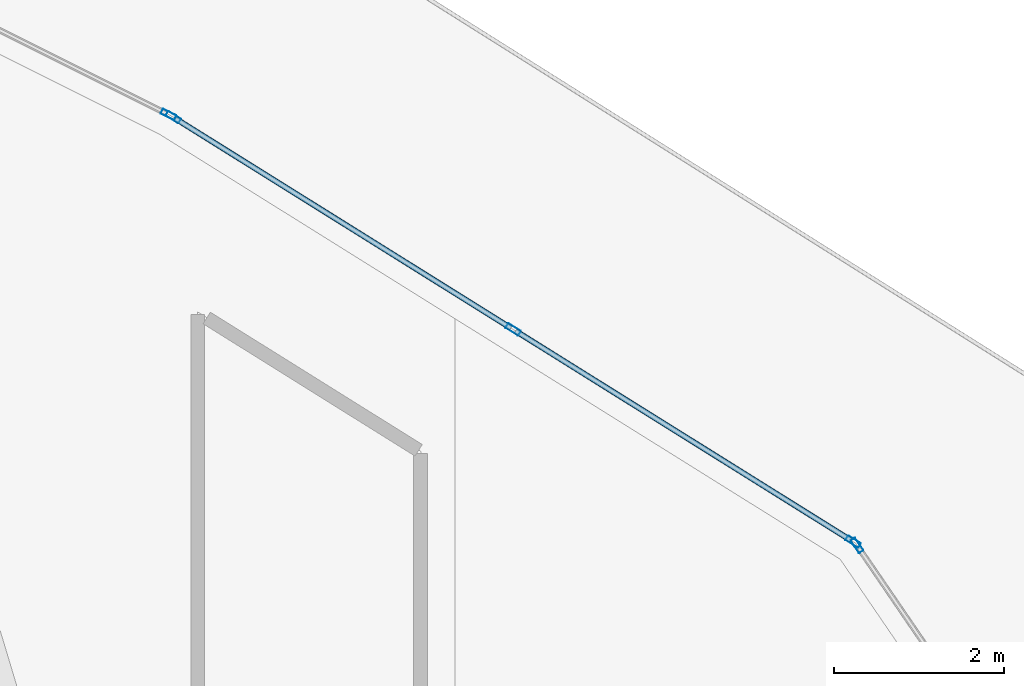
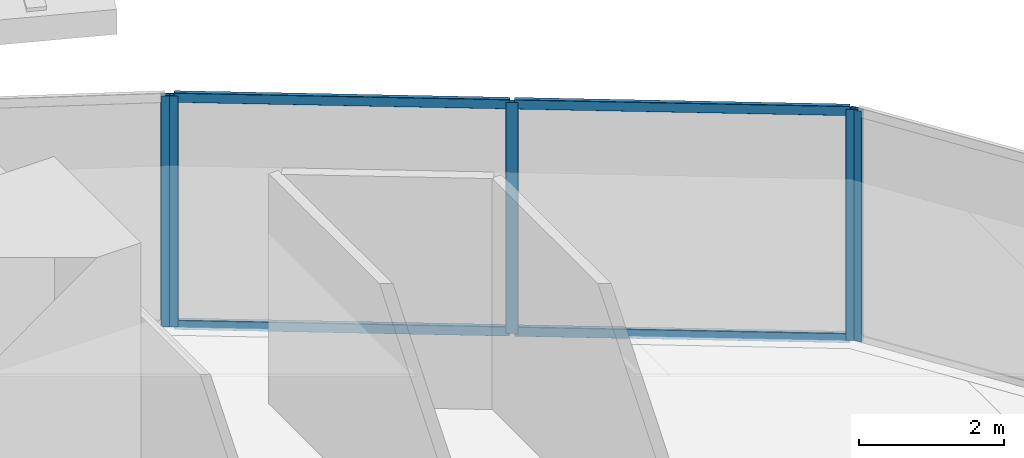
# One storey, part 25 of 45: 9 members, 3 elements without a shape of their own.
"""IFC4 building model written with IfcOpenShell, lengths in metres."""

from ifc_helpers import new_model, si_unit, direction, frame, origin, origin_2d, place, context, subcontext, project, spatial, hollow_rectangle, extrude, material, layer, layer_set, material_profile, profile_set, type_object, element, aggregate, save


model = new_model("IFC4")

# Units and contexts
model_context = context("Model", 3, precision=1e-05, world=origin(), true_north=direction((0.0, 1.0)))
body_context = subcontext(model_context, "Body", "Model", "MODEL_VIEW")
ifc_project = project(units=[si_unit("LENGTHUNIT", "METRE"), si_unit("AREAUNIT", "SQUARE_METRE"), si_unit("VOLUMEUNIT", "CUBIC_METRE"), si_unit("PLANEANGLEUNIT", "RADIAN"), si_unit("MASSUNIT", "GRAM", prefix="KILO")], contexts=[model_context])

# Site, building, storey
site_placement = place(None, origin())
site = spatial("IfcSite", under=ifc_project, at=site_placement, CompositionType="ELEMENT")
building_placement = place(site_placement, origin())
building = spatial("IfcBuilding", under=site, at=building_placement, Name="Qorvath Tower", CompositionType="ELEMENT")
storey_placement = place(building_placement, frame((0.0, 0.0, 95.39990234375)))
storey = spatial("IfcBuildingStorey", under=building, at=storey_placement, Name="L21", CompositionType="ELEMENT", Elevation=95.39990234375)

# Curtain wall, member
ifc_material_1 = material(Name="Anodised aluminium and triple low-E glass", Category="aluminium")
ifc_layer = layer(ifc_material_1, 0.179931640625)
ifc_layer_set = layer_set([ifc_layer], Name="CW-SYS-2")
curtain_wall_type = type_object("IfcCurtainWallType", Name="CW-SYS-2", PredefinedType="NOTDEFINED", material=ifc_layer_set)
curtain_wall_1_placement = place(storey_placement, origin())
curtain_wall_1 = element("IfcCurtainWall", 1, at=curtain_wall_1_placement, inside=storey, type_object=curtain_wall_type, Name="Curtain Wall CW-2 CW-T-L21-13.1", PredefinedType="NOTDEFINED")
ifc_material_2 = material(Name="Anodised aluminium 6063-T6", Category="aluminium")
ifc_material_profile_1 = material_profile(ifc_material_2, hollow_rectangle(XDim=0.06494140625, YDim=0.179931640625, WallThickness=0.00341796875, InnerFilletRadius=0.00341796875, OuterFilletRadius=0.007080078125, at=origin_2d()), Name="CWM 180x65")
ifc_profile_set_1 = profile_set([ifc_material_profile_1], Name="Anodised aluminium 6063-T6")
member_type_1 = type_object("IfcMemberType", Name="CWM-180", PredefinedType="MULLION", material=ifc_profile_set_1)
member_1_placement = place(storey_placement, frame((-2.86376953125, 24.353759765625, 0.0), z_axis=(0.0, 0.0, 1.0), x_axis=(-0.825732659314, -0.564061676895, 0.0)))
member_1 = element("IfcMember", 2, at=member_1_placement, type_object=member_type_1, Name="CW-2 mullion 2", PredefinedType="MULLION", context=body_context, shape_type="SweptSolid", body=[
    extrude(hollow_rectangle(XDim=0.06494140625, YDim=0.179931640625, WallThickness=0.00341796875, InnerFilletRadius=0.00341796875, OuterFilletRadius=0.007080078125, at=origin_2d()), origin(), (0.0, 0.0, 1.0), 3.900146484375),
])
aggregate(curtain_wall_1, [member_1])

# Curtain wall, members
curtain_wall_2_placement = place(storey_placement, origin())
curtain_wall_2 = element("IfcCurtainWall", 3, at=curtain_wall_2_placement, inside=storey, type_object=curtain_wall_type, Name="Curtain Wall CW-2 CW-T-L21-14.1", PredefinedType="NOTDEFINED")
member_2_placement = place(storey_placement, frame((-2.90966796875, 24.397705078125, 0.0), z_axis=(0.0, 0.0, 1.0), x_axis=(-0.529595857203, -0.848250097573, 0.0)))
member_2 = element("IfcMember", 4, at=member_2_placement, type_object=member_type_1, Name="CW-2 mullion 1", PredefinedType="MULLION", context=body_context, shape_type="SweptSolid", body=[
    extrude(hollow_rectangle(XDim=0.06494140625, YDim=0.179931640625, WallThickness=0.00341796875, InnerFilletRadius=0.00341796875, OuterFilletRadius=0.007080078125, at=origin_2d()), origin(), (0.0, 0.0, 1.0), 3.900146484375),
])
member_3_placement = place(storey_placement, frame((-6.90234375, 26.890625, 0.0), z_axis=(0.0, 0.0, 1.0), x_axis=(-0.529595857203, -0.848250097573, 0.0)))
member_3 = element("IfcMember", 5, at=member_3_placement, type_object=member_type_1, Name="CW-2 mullion 2", PredefinedType="MULLION", context=body_context, shape_type="SweptSolid", body=[
    extrude(hollow_rectangle(XDim=0.06494140625, YDim=0.179931640625, WallThickness=0.00341796875, InnerFilletRadius=0.00341796875, OuterFilletRadius=0.007080078125, at=origin_2d()), origin(), (0.0, 0.0, 1.0), 3.900146484375),
])
member_4_placement = place(storey_placement, frame((-10.89501953125, 29.38330078125, 0.0), z_axis=(0.0, 0.0, 1.0), x_axis=(-0.529595857203, -0.848250097573, 0.0)))
member_4 = element("IfcMember", 6, at=member_4_placement, type_object=member_type_1, Name="CW-2 mullion 3", PredefinedType="MULLION", context=body_context, shape_type="SweptSolid", body=[
    extrude(hollow_rectangle(XDim=0.06494140625, YDim=0.179931640625, WallThickness=0.00341796875, InnerFilletRadius=0.00341796875, OuterFilletRadius=0.007080078125, at=origin_2d()), origin(), (0.0, 0.0, 1.0), 3.900146484375),
])

# Curtain wall, member
curtain_wall_3_placement = place(storey_placement, origin())
curtain_wall_3 = element("IfcCurtainWall", 7, at=curtain_wall_3_placement, inside=storey, type_object=curtain_wall_type, Name="Curtain Wall CW-2 CW-T-L21-15.1", PredefinedType="NOTDEFINED")
member_5_placement = place(storey_placement, frame((-10.95166015625, 29.4150390625, 0.0), z_axis=(0.0, 0.0, 1.0), x_axis=(-0.447245233408, -0.894411371347, 0.0)))
member_5 = element("IfcMember", 8, at=member_5_placement, type_object=member_type_1, Name="CW-2 mullion 1", PredefinedType="MULLION", context=body_context, shape_type="SweptSolid", body=[
    extrude(hollow_rectangle(XDim=0.06494140625, YDim=0.179931640625, WallThickness=0.00341796875, InnerFilletRadius=0.00341796875, OuterFilletRadius=0.007080078125, at=origin_2d()), origin(), (0.0, 0.0, 1.0), 3.900146484375),
])
aggregate(curtain_wall_3, [member_5])

# Member
ifc_material_3 = material(Name="Anodised aluminium 6063-T6", Category="aluminium")
ifc_material_profile_2 = material_profile(ifc_material_3, hollow_rectangle(XDim=0.06494140625, YDim=0.159912109375, WallThickness=0.00341796875, InnerFilletRadius=0.00341796875, OuterFilletRadius=0.007080078125, at=origin_2d()), Name="CWT 160x65")
ifc_profile_set_2 = profile_set([ifc_material_profile_2], Name="Anodised aluminium 6063-T6")
member_type_2 = type_object("IfcMemberType", Name="CWT-160", PredefinedType="USERDEFINED", material=ifc_profile_set_2)
member_6_placement = place(storey_placement, frame((-2.937255859375, 24.4150390625, 0.032470703125), z_axis=(-0.848258224033, 0.529582840885, 0.0), x_axis=(-0.529582840885, -0.848258224033, 0.0)))
member_6 = element("IfcMember", 9, at=member_6_placement, type_object=member_type_2, Name="CW-2 transom 1.1", ObjectType="TRANSOM", PredefinedType="USERDEFINED", context=body_context, shape_type="SweptSolid", body=[
    extrude(hollow_rectangle(XDim=0.06494140625, YDim=0.159912109375, WallThickness=0.00341796875, InnerFilletRadius=0.00341796875, OuterFilletRadius=0.007080078125, at=origin_2d()), origin(), (0.0, 0.0, 1.0), 4.641845703125),
])

member_7_placement = place(storey_placement, frame((-2.937255859375, 24.4150390625, 3.86767578125), z_axis=(-0.848258224033, 0.529582840885, 0.0), x_axis=(-0.529582840885, -0.848258224033, 0.0)))
member_7 = element("IfcMember", 10, at=member_7_placement, type_object=member_type_2, Name="CW-2 transom 1.2", ObjectType="TRANSOM", PredefinedType="USERDEFINED", context=body_context, shape_type="SweptSolid", body=[
    extrude(hollow_rectangle(XDim=0.06494140625, YDim=0.159912109375, WallThickness=0.00341796875, InnerFilletRadius=0.00341796875, OuterFilletRadius=0.007080078125, at=origin_2d()), origin(), (0.0, 0.0, 1.0), 4.641845703125),
])

member_8_placement = place(storey_placement, frame((-6.929931640625, 26.90771484375, 0.032470703125), z_axis=(-0.848234596795, 0.529620683887, 0.0), x_axis=(-0.529620683887, -0.848234596795, 0.0)))
member_8 = element("IfcMember", 11, at=member_8_placement, type_object=member_type_2, Name="CW-2 transom 2.1", ObjectType="TRANSOM", PredefinedType="USERDEFINED", context=body_context, shape_type="SweptSolid", body=[
    extrude(hollow_rectangle(XDim=0.06494140625, YDim=0.159912109375, WallThickness=0.00341796875, InnerFilletRadius=0.00341796875, OuterFilletRadius=0.007080078125, at=origin_2d()), origin(), (0.0, 0.0, 1.0), 4.64208984375),
])

member_9_placement = place(storey_placement, frame((-6.929931640625, 26.90771484375, 3.86767578125), z_axis=(-0.848234596795, 0.529620683887, 0.0), x_axis=(-0.529620683887, -0.848234596795, 0.0)))
member_9 = element("IfcMember", 12, at=member_9_placement, type_object=member_type_2, Name="CW-2 transom 2.2", ObjectType="TRANSOM", PredefinedType="USERDEFINED", context=body_context, shape_type="SweptSolid", body=[
    extrude(hollow_rectangle(XDim=0.06494140625, YDim=0.159912109375, WallThickness=0.00341796875, InnerFilletRadius=0.00341796875, OuterFilletRadius=0.007080078125, at=origin_2d()), origin(), (0.0, 0.0, 1.0), 4.64208984375),
])

aggregate(curtain_wall_2, [member_2, member_3, member_4, member_6, member_7, member_8, member_9])

save(model, "model.ifc")
